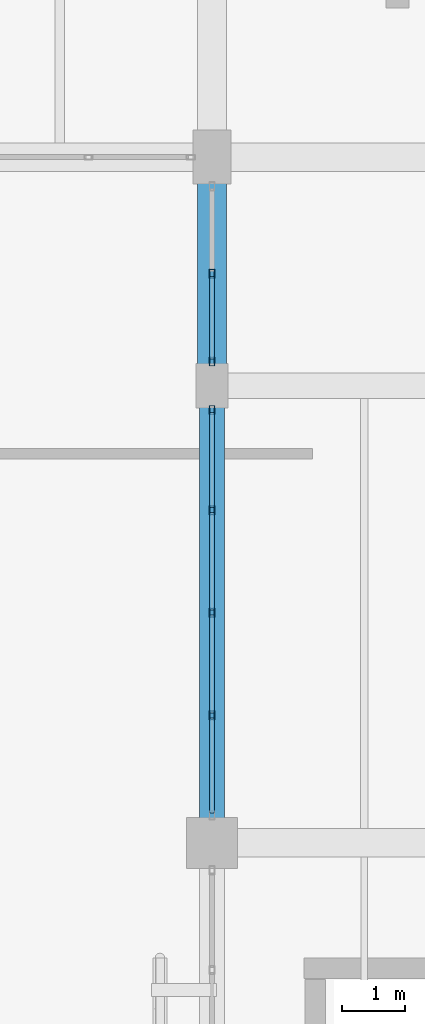
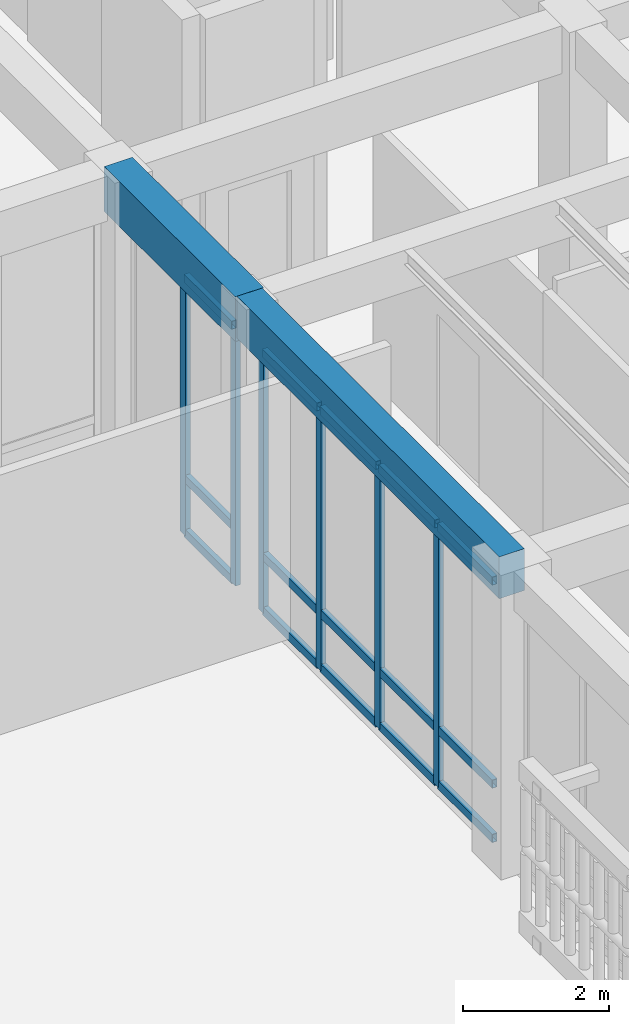
# One storey, part 101 of 169: 21 members, 2 beams, 2 elements without a shape of their own.
"""IFC4 building model written with IfcOpenShell, lengths in metres."""

from ifc_helpers import new_model, si_unit, direction, frame, origin, origin_2d, place, context, subcontext, project, spatial, rectangle, hollow_rectangle, extrude, material, layer, layer_set, material_profile, profile_set, type_object, element, aggregate, save


model = new_model("IFC4")

# Units and contexts
model_context = context("Model", 3, precision=1e-05, world=origin(), true_north=direction((0.0, 1.0)))
body_context = subcontext(model_context, "Body", "Model", "MODEL_VIEW")
ifc_project = project(units=[si_unit("LENGTHUNIT", "METRE"), si_unit("AREAUNIT", "SQUARE_METRE"), si_unit("VOLUMEUNIT", "CUBIC_METRE"), si_unit("PLANEANGLEUNIT", "RADIAN"), si_unit("MASSUNIT", "GRAM", prefix="KILO")], contexts=[model_context])

# Site, building, storey
site_placement = place(None, origin())
site = spatial("IfcSite", under=ifc_project, at=site_placement, CompositionType="ELEMENT")
building_placement = place(site_placement, origin())
building = spatial("IfcBuilding", under=site, at=building_placement, Name="Mazaris Harbour Polytechnic", CompositionType="ELEMENT")
storey_placement = place(building_placement, origin())
storey = spatial("IfcBuildingStorey", under=building, at=storey_placement, Name="L00", CompositionType="ELEMENT", Elevation=0.0)

# Curtain wall, members
ifc_material_1 = material(Name="Anodised Bronze Aluminium and Low-E Glass", Category="aluminium")
ifc_layer = layer(ifc_material_1, 0.169921875, Name="Anodised Bronze Aluminium and Low-E Glass")
ifc_layer_set = layer_set([ifc_layer], Name="Anodised Bronze Aluminium and Low-E Glass")
curtain_wall_type = type_object("IfcCurtainWallType", Name="Studio North-Light Curtain Wall", PredefinedType="NOTDEFINED", material=ifc_layer_set)
curtain_wall_1_placement = place(storey_placement, origin())
curtain_wall_1 = element("IfcCurtainWall", 1, at=curtain_wall_1_placement, inside=storey, type_object=curtain_wall_type, Name="V5 L00 Curtain Wall 203", PredefinedType="NOTDEFINED")
ifc_material_2 = material(Name="Anodised Bronze Steel S355", Category="steel")
ifc_material_profile_1 = material_profile(ifc_material_2, hollow_rectangle(XDim=0.080078125, YDim=0.139892578125, WallThickness=0.00634765625, at=origin_2d()), Name="RHS 80x140x6.3")
ifc_profile_set_1 = profile_set([ifc_material_profile_1], Name="Anodised Bronze Steel S355")
member_type_1 = type_object("IfcMemberType", Name="Curtain Mullion RHS80x140", PredefinedType="MULLION", material=ifc_profile_set_1)
member_1_placement = place(storey_placement, frame((158.39990234375, 82.41796875, 0.0), z_axis=(0.0, 0.0, 1.0), x_axis=(1.0, 0.0, 0.0)))
member_1 = element("IfcMember", 2, at=member_1_placement, type_object=member_type_1, Name="CW-03 mullion 1", PredefinedType="MULLION", context=body_context, shape_type="SweptSolid", body=[
    extrude(hollow_rectangle(XDim=0.080078125, YDim=0.139892578125, WallThickness=0.00634765625, at=origin_2d()), origin(), (0.0, 0.0, 1.0), 4.389892578125),
])
member_2_placement = place(storey_placement, frame((158.39990234375, 80.841552734375, 0.0), z_axis=(0.0, 0.0, 1.0), x_axis=(1.0, 0.0, 0.0)))
member_2 = element("IfcMember", 3, at=member_2_placement, type_object=member_type_1, Name="CW-03 mullion 2", PredefinedType="MULLION", context=body_context, shape_type="SweptSolid", body=[
    extrude(hollow_rectangle(XDim=0.080078125, YDim=0.139892578125, WallThickness=0.00634765625, at=origin_2d()), origin(), (0.0, 0.0, 1.0), 4.389892578125),
])
member_3_placement = place(storey_placement, frame((158.39990234375, 79.22509765625, 0.0), z_axis=(0.0, 0.0, 1.0), x_axis=(1.0, 0.0, 0.0)))
member_3 = element("IfcMember", 4, at=member_3_placement, type_object=member_type_1, Name="CW-03 mullion 3", PredefinedType="MULLION", context=body_context, shape_type="SweptSolid", body=[
    extrude(hollow_rectangle(XDim=0.080078125, YDim=0.139892578125, WallThickness=0.00634765625, at=origin_2d()), origin(), (0.0, 0.0, 1.0), 4.389892578125),
])
member_4_placement = place(storey_placement, frame((158.39990234375, 77.6083984375, 0.0), z_axis=(0.0, 0.0, 1.0), x_axis=(1.0, 0.0, 0.0)))
member_4 = element("IfcMember", 5, at=member_4_placement, type_object=member_type_1, Name="CW-03 mullion 4", PredefinedType="MULLION", context=body_context, shape_type="SweptSolid", body=[
    extrude(hollow_rectangle(XDim=0.080078125, YDim=0.139892578125, WallThickness=0.00634765625, at=origin_2d()), origin(), (0.0, 0.0, 1.0), 4.389892578125),
])

curtain_wall_2_placement = place(storey_placement, origin())
curtain_wall_2 = element("IfcCurtainWall", 6, at=curtain_wall_2_placement, inside=storey, type_object=curtain_wall_type, Name="V5 L00 Curtain Wall 204", PredefinedType="NOTDEFINED")
member_5_placement = place(storey_placement, frame((158.39990234375, 84.5625, 0.0), z_axis=(0.0, 0.0, 1.0), x_axis=(1.0, 0.0, 0.0)))
member_5 = element("IfcMember", 7, at=member_5_placement, type_object=member_type_1, Name="CW-03 mullion 2", PredefinedType="MULLION", context=body_context, shape_type="SweptSolid", body=[
    extrude(hollow_rectangle(XDim=0.080078125, YDim=0.139892578125, WallThickness=0.00634765625, at=origin_2d()), origin(), (0.0, 0.0, 1.0), 4.340087890625),
])
member_6_placement = place(storey_placement, frame((158.39990234375, 83.181884765625, 0.0), z_axis=(0.0, 0.0, 1.0), x_axis=(1.0, 0.0, 0.0)))
member_6 = element("IfcMember", 8, at=member_6_placement, type_object=member_type_1, Name="CW-03 mullion 3", PredefinedType="MULLION", context=body_context, shape_type="SweptSolid", body=[
    extrude(hollow_rectangle(XDim=0.080078125, YDim=0.139892578125, WallThickness=0.00634765625, at=origin_2d()), origin(), (0.0, 0.0, 1.0), 4.340087890625),
])

# Member
ifc_material_3 = material(Name="Anodised Bronze Steel S355", Category="steel")
ifc_material_profile_2 = material_profile(ifc_material_3, hollow_rectangle(XDim=0.080078125, YDim=0.139892578125, WallThickness=0.00634765625, at=origin_2d()), Name="RHS 80x140x6.3")
ifc_profile_set_2 = profile_set([ifc_material_profile_2], Name="Anodised Bronze Steel S355")
member_type_2 = type_object("IfcMemberType", Name="Curtain Transom RHS80x140", PredefinedType="USERDEFINED", material=ifc_profile_set_2)
member_7_placement = place(storey_placement, frame((158.39990234375, 82.3779296875, 0.0400390625), z_axis=(0.0, -1.0, 0.0), x_axis=(1.0, 0.0, 0.0)))
member_7 = element("IfcMember", 9, at=member_7_placement, type_object=member_type_2, Name="CW-03 transom 1.1", ObjectType="TRANSOM", PredefinedType="USERDEFINED", context=body_context, shape_type="SweptSolid", body=[
    extrude(hollow_rectangle(XDim=0.080078125, YDim=0.139892578125, WallThickness=0.00634765625, at=origin_2d()), origin(), (0.0, 0.0, 1.0), 1.496337890625),
])

member_8_placement = place(storey_placement, frame((158.39990234375, 82.3779296875, 0.949951171875), z_axis=(0.0, -1.0, 0.0), x_axis=(1.0, 0.0, 0.0)))
member_8 = element("IfcMember", 10, at=member_8_placement, type_object=member_type_2, Name="CW-03 transom 1.2", ObjectType="TRANSOM", PredefinedType="USERDEFINED", context=body_context, shape_type="SweptSolid", body=[
    extrude(hollow_rectangle(XDim=0.080078125, YDim=0.139892578125, WallThickness=0.00634765625, at=origin_2d()), origin(), (0.0, 0.0, 1.0), 1.496337890625),
])

member_9_placement = place(storey_placement, frame((158.39990234375, 82.3779296875, 4.35009765625), z_axis=(0.0, -1.0, 0.0), x_axis=(1.0, 0.0, 0.0)))
member_9 = element("IfcMember", 11, at=member_9_placement, type_object=member_type_2, Name="CW-03 transom 1.3", ObjectType="TRANSOM", PredefinedType="USERDEFINED", context=body_context, shape_type="SweptSolid", body=[
    extrude(hollow_rectangle(XDim=0.080078125, YDim=0.139892578125, WallThickness=0.00634765625, at=origin_2d()), origin(), (0.0, 0.0, 1.0), 1.496337890625),
])

member_10_placement = place(storey_placement, frame((158.39990234375, 80.801513671875, 0.0400390625), z_axis=(0.0, -1.0, 0.0), x_axis=(1.0, 0.0, 0.0)))
member_10 = element("IfcMember", 12, at=member_10_placement, type_object=member_type_2, Name="CW-03 transom 2.1", ObjectType="TRANSOM", PredefinedType="USERDEFINED", context=body_context, shape_type="SweptSolid", body=[
    extrude(hollow_rectangle(XDim=0.080078125, YDim=0.139892578125, WallThickness=0.00634765625, at=origin_2d()), origin(), (0.0, 0.0, 1.0), 1.53662109375),
])

member_11_placement = place(storey_placement, frame((158.39990234375, 80.801513671875, 0.949951171875), z_axis=(0.0, -1.0, 0.0), x_axis=(1.0, 0.0, 0.0)))
member_11 = element("IfcMember", 13, at=member_11_placement, type_object=member_type_2, Name="CW-03 transom 2.2", ObjectType="TRANSOM", PredefinedType="USERDEFINED", context=body_context, shape_type="SweptSolid", body=[
    extrude(hollow_rectangle(XDim=0.080078125, YDim=0.139892578125, WallThickness=0.00634765625, at=origin_2d()), origin(), (0.0, 0.0, 1.0), 1.53662109375),
])

member_12_placement = place(storey_placement, frame((158.39990234375, 80.801513671875, 4.35009765625), z_axis=(0.0, -1.0, 0.0), x_axis=(1.0, 0.0, 0.0)))
member_12 = element("IfcMember", 14, at=member_12_placement, type_object=member_type_2, Name="CW-03 transom 2.3", ObjectType="TRANSOM", PredefinedType="USERDEFINED", context=body_context, shape_type="SweptSolid", body=[
    extrude(hollow_rectangle(XDim=0.080078125, YDim=0.139892578125, WallThickness=0.00634765625, at=origin_2d()), origin(), (0.0, 0.0, 1.0), 1.53662109375),
])

member_13_placement = place(storey_placement, frame((158.39990234375, 79.18505859375, 0.0400390625), z_axis=(0.0, -1.0, 0.0), x_axis=(1.0, 0.0, 0.0)))
member_13 = element("IfcMember", 15, at=member_13_placement, type_object=member_type_2, Name="CW-03 transom 3.1", ObjectType="TRANSOM", PredefinedType="USERDEFINED", context=body_context, shape_type="SweptSolid", body=[
    extrude(hollow_rectangle(XDim=0.080078125, YDim=0.139892578125, WallThickness=0.00634765625, at=origin_2d()), origin(), (0.0, 0.0, 1.0), 1.53662109375),
])

member_14_placement = place(storey_placement, frame((158.39990234375, 79.18505859375, 0.949951171875), z_axis=(0.0, -1.0, 0.0), x_axis=(1.0, 0.0, 0.0)))
member_14 = element("IfcMember", 16, at=member_14_placement, type_object=member_type_2, Name="CW-03 transom 3.2", ObjectType="TRANSOM", PredefinedType="USERDEFINED", context=body_context, shape_type="SweptSolid", body=[
    extrude(hollow_rectangle(XDim=0.080078125, YDim=0.139892578125, WallThickness=0.00634765625, at=origin_2d()), origin(), (0.0, 0.0, 1.0), 1.53662109375),
])

member_15_placement = place(storey_placement, frame((158.39990234375, 79.18505859375, 4.35009765625), z_axis=(0.0, -1.0, 0.0), x_axis=(1.0, 0.0, 0.0)))
member_15 = element("IfcMember", 17, at=member_15_placement, type_object=member_type_2, Name="CW-03 transom 3.3", ObjectType="TRANSOM", PredefinedType="USERDEFINED", context=body_context, shape_type="SweptSolid", body=[
    extrude(hollow_rectangle(XDim=0.080078125, YDim=0.139892578125, WallThickness=0.00634765625, at=origin_2d()), origin(), (0.0, 0.0, 1.0), 1.53662109375),
])

member_16_placement = place(storey_placement, frame((158.39990234375, 77.568603515625, 0.0400390625), z_axis=(0.0, -1.0, 0.0), x_axis=(1.0, 0.0, 0.0)))
member_16 = element("IfcMember", 18, at=member_16_placement, type_object=member_type_2, Name="CW-03 transom 4.1", ObjectType="TRANSOM", PredefinedType="USERDEFINED", context=body_context, shape_type="SweptSolid", body=[
    extrude(hollow_rectangle(XDim=0.080078125, YDim=0.139892578125, WallThickness=0.00634765625, at=origin_2d()), origin(), (0.0, 0.0, 1.0), 1.49658203125),
])

member_17_placement = place(storey_placement, frame((158.39990234375, 77.568603515625, 0.949951171875), z_axis=(0.0, -1.0, 0.0), x_axis=(1.0, 0.0, 0.0)))
member_17 = element("IfcMember", 19, at=member_17_placement, type_object=member_type_2, Name="CW-03 transom 4.2", ObjectType="TRANSOM", PredefinedType="USERDEFINED", context=body_context, shape_type="SweptSolid", body=[
    extrude(hollow_rectangle(XDim=0.080078125, YDim=0.139892578125, WallThickness=0.00634765625, at=origin_2d()), origin(), (0.0, 0.0, 1.0), 1.49658203125),
])

member_18_placement = place(storey_placement, frame((158.39990234375, 77.568603515625, 4.35009765625), z_axis=(0.0, -1.0, 0.0), x_axis=(1.0, 0.0, 0.0)))
member_18 = element("IfcMember", 20, at=member_18_placement, type_object=member_type_2, Name="CW-03 transom 4.3", ObjectType="TRANSOM", PredefinedType="USERDEFINED", context=body_context, shape_type="SweptSolid", body=[
    extrude(hollow_rectangle(XDim=0.080078125, YDim=0.139892578125, WallThickness=0.00634765625, at=origin_2d()), origin(), (0.0, 0.0, 1.0), 1.49658203125),
])

aggregate(curtain_wall_1, [member_1, member_2, member_3, member_4, member_7, member_8, member_9, member_10, member_11, member_12, member_13, member_14, member_15, member_16, member_17, member_18])

member_19_placement = place(storey_placement, frame((158.39990234375, 84.5224609375, 0.0400390625), z_axis=(0.0, -1.0, 0.0), x_axis=(1.0, 0.0, 0.0)))
member_19 = element("IfcMember", 21, at=member_19_placement, type_object=member_type_2, Name="CW-03 transom 2.1", ObjectType="TRANSOM", PredefinedType="USERDEFINED", context=body_context, shape_type="SweptSolid", body=[
    extrude(hollow_rectangle(XDim=0.080078125, YDim=0.139892578125, WallThickness=0.00634765625, at=origin_2d()), origin(), (0.0, 0.0, 1.0), 1.300537109375),
])

member_20_placement = place(storey_placement, frame((158.39990234375, 84.5224609375, 0.949951171875), z_axis=(0.0, -1.0, 0.0), x_axis=(1.0, 0.0, 0.0)))
member_20 = element("IfcMember", 22, at=member_20_placement, type_object=member_type_2, Name="CW-03 transom 2.2", ObjectType="TRANSOM", PredefinedType="USERDEFINED", context=body_context, shape_type="SweptSolid", body=[
    extrude(hollow_rectangle(XDim=0.080078125, YDim=0.139892578125, WallThickness=0.00634765625, at=origin_2d()), origin(), (0.0, 0.0, 1.0), 1.300537109375),
])

member_21_placement = place(storey_placement, frame((158.39990234375, 84.5224609375, 4.300048828125), z_axis=(0.0, -1.0, 0.0), x_axis=(1.0, 0.0, 0.0)))
member_21 = element("IfcMember", 23, at=member_21_placement, type_object=member_type_2, Name="CW-03 transom 2.3", ObjectType="TRANSOM", PredefinedType="USERDEFINED", context=body_context, shape_type="SweptSolid", body=[
    extrude(hollow_rectangle(XDim=0.080078125, YDim=0.139892578125, WallThickness=0.00634765625, at=origin_2d()), origin(), (0.0, 0.0, 1.0), 1.300537109375),
])

aggregate(curtain_wall_2, [member_5, member_6, member_19, member_20, member_21])

# Beams
ifc_material_4 = material(Name="Concrete C35/45", Category="concrete")
ifc_material_profile_3 = material_profile(ifc_material_4, rectangle(XDim=0.39990234375, YDim=0.699951171875, at=origin_2d()), Name="RECT400x700")
ifc_profile_set_3 = profile_set([ifc_material_profile_3], Name="Concrete C35/45")
beam_type_1 = type_object("IfcBeamType", Name="RC Girder 400x700", PredefinedType="BEAM", material=ifc_profile_set_3)
beam_1_placement = place(storey_placement, frame((158.39990234375, 75.60009765625, 4.75), z_axis=(0.0, 1.0, 0.0), x_axis=(-1.0, 0.0, 0.0)))
element("IfcBeam", 24, at=beam_1_placement, inside=storey, type_object=beam_type_1, Name="V5 L00 Tie Girder 2797", PredefinedType="BEAM", context=body_context, shape_type="SweptSolid", body=[
    extrude(rectangle(XDim=0.39990234375, YDim=0.699951171875, at=origin_2d()), origin(), (0.0, 0.0, 1.0), 7.199951171875),
])
ifc_material_5 = material(Name="Concrete C40/50", Category="concrete")
ifc_material_profile_4 = material_profile(ifc_material_5, rectangle(XDim=0.449951171875, YDim=0.75, at=origin_2d()), Name="RECT450x750")
ifc_profile_set_4 = profile_set([ifc_material_profile_4], Name="Concrete C40/50")
beam_type_2 = type_object("IfcBeamType", Name="RC Girder 450x750", PredefinedType="BEAM", material=ifc_profile_set_4)
beam_2_placement = place(storey_placement, frame((158.39990234375, 82.800048828125, 4.72509765625), z_axis=(0.0, 1.0, 0.0), x_axis=(-1.0, 0.0, 0.0)))
element("IfcBeam", 25, at=beam_2_placement, inside=storey, type_object=beam_type_2, Name="V5 L00 Tie Girder 2798", PredefinedType="BEAM", context=body_context, shape_type="SweptSolid", body=[
    extrude(rectangle(XDim=0.449951171875, YDim=0.75, at=origin_2d()), origin(), (0.0, 0.0, 1.0), 3.599853515625),
])

save(model, "model.ifc")
